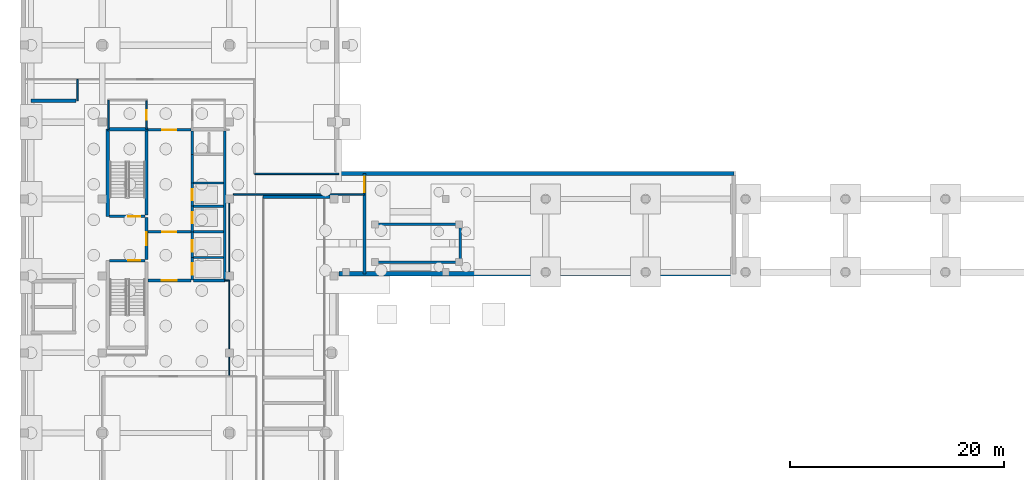
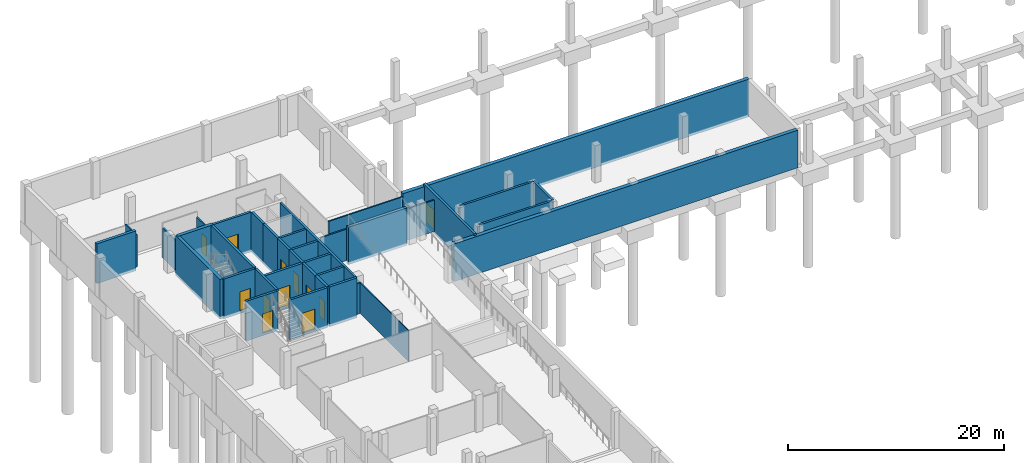
# One storey, part 12 of 21: 36 walls, 12 doors, 12 openings.
"""IFC4 building model written with IfcOpenShell, lengths in metres."""

from ifc_helpers import new_model, si_unit, direction, frame, frame_2d, origin, place, context, subcontext, project, spatial, rectangle, extrude, material, layer, layer_set, type_object, element, fill, save


model = new_model("IFC4")

# Units and contexts
model_context = context("Model", 3, precision=1e-05, world=origin(), true_north=direction((0.0, 1.0)))
body_context = subcontext(model_context, "Body", "Model", "MODEL_VIEW")
ifc_project = project(units=[si_unit("LENGTHUNIT", "METRE"), si_unit("AREAUNIT", "SQUARE_METRE"), si_unit("VOLUMEUNIT", "CUBIC_METRE"), si_unit("PLANEANGLEUNIT", "RADIAN"), si_unit("MASSUNIT", "GRAM", prefix="KILO")], contexts=[model_context])

# Site, building, storey
site_placement = place(None, origin())
site = spatial("IfcSite", under=ifc_project, at=site_placement, CompositionType="ELEMENT")
building_placement = place(site_placement, origin())
building = spatial("IfcBuilding", under=site, at=building_placement, Name="Quillay Park Conservatory", CompositionType="ELEMENT")
storey_placement = place(building_placement, frame((0.0, 0.0, -8.39990234375)))
storey = spatial("IfcBuildingStorey", under=building, at=storey_placement, Name="B2", CompositionType="ELEMENT", Elevation=-8.39990234375)

# Walls
ifc_material_1 = material(Name="Steel-Stud Acoustic Gypsum Board Partition", Category="steel")
ifc_layer_1 = layer(ifc_material_1, 0.10009765625)
ifc_layer_set_1 = layer_set([ifc_layer_1], Name="ACOUSTIC GYPSUM PARTITION 100 (Steel-Stud Acoustic Gypsum Board Partition)")
wall_type_1 = type_object("IfcWallType", Name="ACOUSTIC GYPSUM PARTITION 100", PredefinedType="PARTITIONING", material=ifc_layer_set_1)
wall_1_placement = place(storey_placement, frame((19.75, 92.030029296875, 0.0), z_axis=(0.0, 0.0, 1.0), x_axis=(0.0, -1.0, 0.0)))
element("IfcWall", 1, at=wall_1_placement, inside=storey, type_object=wall_type_1, Name="B2 Core East Ramp Shield Wall", PredefinedType="PARTITIONING", context=body_context, shape_type="SweptSolid", body=[
    extrude(rectangle(XDim=16.22998046875, YDim=0.10009765625, at=frame_2d((8.114990234375, 0.0))), origin(), (0.0, 0.0, 1.0), 3.48681640625),
])
ifc_material_2 = material(Name="Steel-Stud Acoustic Gypsum Board Partition", Category="steel")
ifc_layer_2 = layer(ifc_material_2, 0.10498046875)
ifc_layer_set_2 = layer_set([ifc_layer_2], Name="ACOUSTIC GYPSUM PARTITION 105 (Steel-Stud Acoustic Gypsum Board Partition)")
wall_type_2 = type_object("IfcWallType", Name="ACOUSTIC GYPSUM PARTITION 105", PredefinedType="PARTITIONING", material=ifc_layer_set_2)
wall_2_placement = place(storey_placement, frame((19.320068359375, 84.77490234375, 0.0), z_axis=(0.0, 0.0, 1.0), x_axis=(1.0, 0.0, 0.0)))
element("IfcWall", 2, at=wall_2_placement, inside=storey, type_object=wall_type_2, Name="B2 Core South-East Closure", PredefinedType="PARTITIONING", context=body_context, shape_type="SweptSolid", body=[
    extrude(rectangle(XDim=0.429931640625, YDim=0.10498046875, at=frame_2d((0.21484375, 0.0))), origin(), (0.0, 0.0, 1.0), 3.48681640625),
])

# Wall, opening, door
ifc_material_3 = material(Name="Steel-Stud Acoustic Gypsum Board Partition", Category="steel")
ifc_layer_3 = layer(ifc_material_3, 0.1298828125)
ifc_layer_set_3 = layer_set([ifc_layer_3], Name="ACOUSTIC GYPSUM PARTITION 130 (Steel-Stud Acoustic Gypsum Board Partition)")
wall_type_3 = type_object("IfcWallType", Name="ACOUSTIC GYPSUM PARTITION 130", PredefinedType="PARTITIONING", material=ifc_layer_set_3)
wall_3_placement = place(storey_placement, frame((12.0, 101.60009765625, 0.0), z_axis=(0.0, 0.0, 1.0), x_axis=(0.0, -1.0, 0.0)))
wall_3 = element("IfcWall", 3, at=wall_3_placement, inside=storey, type_object=wall_type_3, Name="B2 Accessible WC Door Wall", PredefinedType="PARTITIONING", context=body_context, shape_type="SweptSolid", body=[
    extrude(rectangle(XDim=2.68017578125, YDim=0.1298828125, at=frame_2d((1.340087890625, 0.0))), origin(), (0.0, 0.0, 1.0), 3.410888671875),
])
opening_1_placement = place(wall_3_placement, frame((0.8798828125, 0.0, 0.0)))
opening_1 = element("IfcOpeningElement", 4, at=opening_1_placement, cuts=wall_3, Name="Opening D-RM01", PredefinedType="OPENING", context=body_context, shape_type="SweptSolid", body=[
    extrude(rectangle(XDim=0.919921875, YDim=2.10009765625, at=frame_2d((0.4599609375, 1.050048828125))), frame((0.0, 0.06494140625, 0.0), z_axis=(0.0, -1.0, 0.0), x_axis=(1.0, 0.0, 0.0)), (0.0, 0.0, 1.0), 0.1298828125),
])
ifc_material_4 = material(Name="Thermally Broken Anodised Aluminium 6063-T6", Category="aluminium")
door_type_1 = type_object("IfcDoorType", Name="SINGLE SWING DOOR 920 X2100", OperationType="NOTDEFINED", PredefinedType="DOOR", material=ifc_material_4)
door_1_placement = place(opening_1_placement, origin())
door_1 = element("IfcDoor", 5, at=door_1_placement, inside=storey, type_object=door_type_1, Name="B2 Door to B2 Accessible WC", OperationType="SINGLE_SWING_LEFT", OverallHeight=2.10009765625, OverallWidth=0.919921875, PredefinedType="DOOR", context=body_context, shape_type="SweptSolid", body=[
    extrude(rectangle(XDim=0.919921875, YDim=2.10009765625, at=frame_2d((0.4599609375, 1.050048828125))), frame((0.0, 0.02490234375, 0.0), z_axis=(0.0, -1.0, 0.0), x_axis=(1.0, 0.0, 0.0)), (0.0, 0.0, 1.0), 0.050048828125),
])
fill(opening_1, door_1)

# Walls
ifc_material_5 = material(Name="Steel-Stud Acoustic Gypsum Board Partition", Category="steel")
ifc_layer_4 = layer(ifc_material_5, 0.139892578125)
ifc_layer_set_4 = layer_set([ifc_layer_4], Name="ACOUSTIC GYPSUM PARTITION 140 (Steel-Stud Acoustic Gypsum Board Partition)")
wall_type_4 = type_object("IfcWallType", Name="ACOUSTIC GYPSUM PARTITION 140", PredefinedType="PARTITIONING", material=ifc_layer_set_4)
wall_4_placement = place(storey_placement, frame((5.550048828125, 101.60009765625, 0.0), z_axis=(0.0, 0.0, 1.0), x_axis=(0.0, 1.0, 0.0)))
element("IfcWall", 6, at=wall_4_placement, inside=storey, type_object=wall_type_4, Name="B2 Spine West Wall North", PredefinedType="PARTITIONING", context=body_context, shape_type="SweptSolid", body=[
    extrude(rectangle(XDim=2.0, YDim=0.139892578125, at=frame_2d((1.0, 0.0))), origin(), (0.0, 0.0, 1.0), 3.636962890625),
])
wall_5_placement = place(storey_placement, frame((22.1201171875, 94.75, 0.0), z_axis=(0.0, 0.0, 1.0), x_axis=(1.0, 0.0, 0.0)))
element("IfcWall", 7, at=wall_5_placement, inside=storey, type_object=wall_type_4, Name="B2 Dock Passage North Wall", PredefinedType="PARTITIONING", context=body_context, shape_type="SweptSolid", body=[
    extrude(rectangle(XDim=7.8798828125, YDim=0.139892578125, at=frame_2d((3.93994140625, 0.0))), origin(), (0.0, 0.0, 1.0), 3.536865234375),
])
ifc_material_6 = material(Name="Steel-Stud Acoustic Gypsum Board Partition", Category="steel")
ifc_layer_5 = layer(ifc_material_6, 0.14990234375)
ifc_layer_set_5 = layer_set([ifc_layer_5], Name="ACOUSTIC GYPSUM PARTITION 150 (Steel-Stud Acoustic Gypsum Board Partition)")
wall_type_5 = type_object("IfcWallType", Name="ACOUSTIC GYPSUM PARTITION 150", PredefinedType="PARTITIONING", material=ifc_layer_set_5)
wall_6_placement = place(storey_placement, frame((8.419921875, 98.919921875, 0.0), z_axis=(0.0, 0.0, 1.0), x_axis=(0.0, 1.0, 0.0)))
element("IfcWall", 8, at=wall_6_placement, inside=storey, type_object=wall_type_5, Name="B2 Accessible WC West Wall", PredefinedType="PARTITIONING", context=body_context, shape_type="SweptSolid", body=[
    extrude(rectangle(XDim=2.739990234375, YDim=0.14990234375, at=frame_2d((1.3701171875, 0.0))), origin(), (0.0, 0.0, 1.0), 3.410888671875),
])
wall_7_placement = place(storey_placement, frame((20.1201171875, 92.840087890625, 0.0), z_axis=(0.0, 0.0, 1.0), x_axis=(1.0, 0.0, 0.0)))
element("IfcWall", 9, at=wall_7_placement, inside=storey, type_object=wall_type_5, Name="B2 Dock Passage South Wall", PredefinedType="PARTITIONING", context=body_context, shape_type="SweptSolid", body=[
    extrude(rectangle(XDim=12.27978515625, YDim=0.14990234375, at=frame_2d((6.139892578125, 0.0))), origin(), (0.0, 0.0, 1.0), 3.536865234375),
])
ifc_material_7 = material(Name="Concrete C35/45 (NCh170 Concrete C35/45)", Category="concrete")
ifc_layer_6 = layer(ifc_material_7, 0.22509765625)
ifc_layer_set_6 = layer_set([ifc_layer_6], Name="CORE SHEAR WALL 225 (Concrete C35/45 (NCh170 Concrete C35/45))")
wall_type_6 = type_object("IfcWallType", Name="CORE SHEAR WALL 225", PredefinedType="SHEAR", material=ifc_layer_set_6)
wall_8_placement = place(storey_placement, frame((19.320068359375, 84.800048828125, -0.300048828125), z_axis=(0.0, 0.0, 1.0), x_axis=(0.0, 1.0, 0.0)))
element("IfcWall", 10, at=wall_8_placement, inside=storey, type_object=wall_type_6, Name="B2 Core Shear Wall WL-LFBACK-B2", PredefinedType="SHEAR", context=body_context, shape_type="SweptSolid", body=[
    extrude(rectangle(XDim=13.949951171875, YDim=0.22509765625, at=frame_2d((6.97509765625, 0.0))), origin(), (0.0, 0.0, 1.0), 4.5),
])
for number, where, z_axis, x_axis, name in (
    (11, (16.39990234375, 86.925048828125, -0.300048828125), (0.0, 0.0, 1.0), (1.0, 0.0, 0.0), "B2 Core Shear Wall WL-LFDIV-B2-869"),
    (12, (16.39990234375, 89.324951171875, -0.300048828125), (0.0, 0.0, 1.0), (1.0, 0.0, 0.0), "B2 Core Shear Wall WL-LFDIV-B2-893"),
    (13, (16.39990234375, 91.72509765625, -0.300048828125), (0.0, 0.0, 1.0), (1.0, 0.0, 0.0), "B2 Core Shear Wall WL-LFDIV-B2-917"),
    (14, (16.39990234375, 93.89990234375, -0.300048828125), (0.0, 0.0, 1.0), (1.0, 0.0, 0.0), "B2 Core Shear Wall WL-LFDIV-B2-939"),
):
    element("IfcWall", number, at=place(storey_placement, frame(where, z_axis=z_axis, x_axis=x_axis)), inside=storey, type_object=wall_type_6, Name=name, PredefinedType="SHEAR", context=body_context, shape_type="SweptSolid", body=[
        extrude(rectangle(XDim=2.800048828125, YDim=0.22509765625, at=frame_2d((1.39990234375, 0.0))), origin(), (0.0, 0.0, 1.0), 4.5),
    ])
for number, where, z_axis, x_axis, name in (
    (15, (33.39990234375, 86.487548828125, -0.300048828125), (0.0, 0.0, 1.0), (1.0, 0.0, 0.0), "B2 Core Shear Wall WL-STC1S-B2"),
    (16, (33.39990234375, 90.032470703125, -0.300048828125), (0.0, 0.0, 1.0), (1.0, 0.0, 0.0), "B2 Core Shear Wall WL-STC1N-B2"),
):
    element("IfcWall", number, at=place(storey_placement, frame(where, z_axis=z_axis, x_axis=x_axis)), inside=storey, type_object=wall_type_6, Name=name, PredefinedType="SHEAR", context=body_context, shape_type="SweptSolid", body=[
        extrude(rectangle(XDim=7.85009765625, YDim=0.22509765625, at=frame_2d((3.925048828125, 0.0))), origin(), (0.0, 0.0, 1.0), 4.5),
    ])
wall_9_placement = place(storey_placement, frame((41.362548828125, 86.487548828125, -0.300048828125), z_axis=(0.0, 0.0, 1.0), x_axis=(0.0, 1.0, 0.0)))
element("IfcWall", 17, at=wall_9_placement, inside=storey, type_object=wall_type_6, Name="B2 Core Shear Wall WL-STC1E-B2", PredefinedType="SHEAR", context=body_context, shape_type="SweptSolid", body=[
    extrude(rectangle(XDim=3.544921875, YDim=0.22509765625, at=frame_2d((1.7724609375, 0.0))), origin(), (0.0, 0.0, 1.0), 4.5),
])
ifc_material_8 = material(Name="Concrete C40/50 (NCh170 Concrete C40/50)", Category="concrete")
ifc_layer_7 = layer(ifc_material_8, 0.25)
ifc_layer_set_7 = layer_set([ifc_layer_7], Name="CORE SHEAR WALL 250 (Concrete C40/50 (NCh170 Concrete C40/50))")
wall_type_7 = type_object("IfcWallType", Name="CORE SHEAR WALL 250", PredefinedType="SHEAR", material=ifc_layer_set_7)
wall_10_placement = place(storey_placement, frame((11.9951171875, 90.89990234375, -0.300048828125), z_axis=(0.0, 0.0, 1.0), x_axis=(0.0, 1.0, 0.0)))
element("IfcWall", 18, at=wall_10_placement, inside=storey, type_object=wall_type_7, Name="B2 Core Shear Wall WL-T1E-B2", PredefinedType="SHEAR", context=body_context, shape_type="SweptSolid", body=[
    extrude(rectangle(XDim=7.85009765625, YDim=0.25, at=frame_2d((3.925048828125, 0.0))), origin(), (0.0, 0.0, 1.0), 4.5),
])

# Wall, opening, door
wall_11_placement = place(storey_placement, frame((11.9951171875, 86.75, -0.300048828125), z_axis=(0.0, 0.0, 1.0), x_axis=(0.0, 1.0, 0.0)))
wall_11 = element("IfcWall", 19, at=wall_11_placement, inside=storey, type_object=wall_type_7, Name="B2 Core Shear Wall WL-FFW-B2", PredefinedType="SHEAR", context=body_context, shape_type="SweptSolid", body=[
    extrude(rectangle(XDim=3.89990234375, YDim=0.25, at=frame_2d((1.949951171875, 0.0))), origin(), (0.0, 0.0, 1.0), 4.5),
])
opening_2_placement = place(wall_11_placement, frame((1.300048828125, 0.0, 0.300048828125)))
opening_2 = element("IfcOpeningElement", 20, at=opening_2_placement, cuts=wall_11, Name="Opening D-LB01", PredefinedType="OPENING", context=body_context, shape_type="SweptSolid", body=[
    extrude(rectangle(XDim=1.25, YDim=2.199951171875, at=frame_2d((0.625, 1.10009765625))), frame((0.0, 0.125, 0.0), z_axis=(0.0, -1.0, 0.0), x_axis=(1.0, 0.0, 0.0)), (0.0, 0.0, 1.0), 0.25),
])
ifc_material_9 = material(Name="Steel ASTM A572 Grade 50", Category="steel")
door_type_2 = type_object("IfcDoorType", Name="FIRE RATED LOBBY DOOR 1250 X2200", OperationType="NOTDEFINED", PredefinedType="DOOR", material=ifc_material_9)
door_2_placement = place(opening_2_placement, origin())
door_2 = element("IfcDoor", 21, at=door_2_placement, inside=storey, type_object=door_type_2, Name="B2 Firefighting Lobby Corridor Door", OperationType="SINGLE_SWING_LEFT", OverallHeight=2.199951171875, OverallWidth=1.25, PredefinedType="DOOR", context=body_context, shape_type="SweptSolid", body=[
    extrude(rectangle(XDim=1.25, YDim=2.199951171875, at=frame_2d((0.625, 1.10009765625))), frame((0.0, 0.02490234375, 0.0), z_axis=(0.0, -1.0, 0.0), x_axis=(1.0, 0.0, 0.0)), (0.0, 0.0, 1.0), 0.050048828125),
])
fill(opening_2, door_2)

wall_12_placement = place(storey_placement, frame((12.1201171875, 98.875, -0.300048828125), z_axis=(0.0, 0.0, 1.0), x_axis=(1.0, 0.0, 0.0)))
wall_12 = element("IfcWall", 22, at=wall_12_placement, inside=storey, type_object=wall_type_7, Name="B2 Core Shear Wall WL-PAXN-B2", PredefinedType="SHEAR", context=body_context, shape_type="SweptSolid", body=[
    extrude(rectangle(XDim=4.02978515625, YDim=0.25, at=frame_2d((2.014892578125, 0.0))), origin(), (0.0, 0.0, 1.0), 4.5),
])
opening_3_placement = place(wall_12_placement, frame((1.35009765625, 0.0, 0.300048828125)))
opening_3 = element("IfcOpeningElement", 23, at=opening_3_placement, cuts=wall_12, Name="Opening D-LB02", PredefinedType="OPENING", context=body_context, shape_type="SweptSolid", body=[
    extrude(rectangle(XDim=1.300048828125, YDim=2.199951171875, at=frame_2d((0.64990234375, 1.10009765625))), frame((0.0, 0.125, 0.0), z_axis=(0.0, -1.0, 0.0), x_axis=(1.0, 0.0, 0.0)), (0.0, 0.0, 1.0), 0.25),
])
ifc_material_10 = material(Name="Steel ASTM A572 Grade 50", Category="steel")
door_type_3 = type_object("IfcDoorType", Name="FIRE RATED LOBBY DOOR 1300 X2200", OperationType="NOTDEFINED", PredefinedType="DOOR", material=ifc_material_10)
door_3_placement = place(opening_3_placement, origin())
door_3 = element("IfcDoor", 24, at=door_3_placement, inside=storey, type_object=door_type_3, Name="B2 North Lift Lobby Door", OperationType="SINGLE_SWING_RIGHT", OverallHeight=2.199951171875, OverallWidth=1.300048828125, PredefinedType="DOOR", context=body_context, shape_type="SweptSolid", body=[
    extrude(rectangle(XDim=1.300048828125, YDim=2.199951171875, at=frame_2d((0.64990234375, 1.10009765625))), frame((0.0, 0.02490234375, 0.0), z_axis=(0.0, -1.0, 0.0), x_axis=(1.0, 0.0, 0.0)), (0.0, 0.0, 1.0), 0.050048828125),
])
fill(opening_3, door_3)

wall_13_placement = place(storey_placement, frame((8.550048828125, 86.625, -0.300048828125), z_axis=(0.0, 0.0, 1.0), x_axis=(1.0, 0.0, 0.0)))
wall_13 = element("IfcWall", 25, at=wall_13_placement, inside=storey, type_object=wall_type_7, Name="B2 Core Shear Wall WL-ST2D-B2", PredefinedType="SHEAR", context=body_context, shape_type="SweptSolid", body=[
    extrude(rectangle(XDim=3.320068359375, YDim=0.25, at=frame_2d((1.66015625, 0.0))), origin(), (0.0, 0.0, 1.0), 4.5),
])
opening_4_placement = place(wall_13_placement, frame((1.75, 0.0, 0.300048828125)))
opening_4 = element("IfcOpeningElement", 26, at=opening_4_placement, cuts=wall_13, Name="Opening D-ST01", PredefinedType="OPENING", context=body_context, shape_type="SweptSolid", body=[
    extrude(rectangle(XDim=1.10009765625, YDim=2.14990234375, at=frame_2d((0.550048828125, 1.074951171875))), frame((0.0, 0.125, 0.0), z_axis=(0.0, -1.0, 0.0), x_axis=(1.0, 0.0, 0.0)), (0.0, 0.0, 1.0), 0.25),
])
ifc_material_11 = material(Name="Steel ASTM A572 Grade 50", Category="steel")
door_type_4 = type_object("IfcDoorType", Name="FIRE RATED STAIR DOOR 1100 X2150", OperationType="NOTDEFINED", PredefinedType="DOOR", material=ifc_material_11)
door_4_placement = place(opening_4_placement, origin())
door_4 = element("IfcDoor", 27, at=door_4_placement, inside=storey, type_object=door_type_4, Name="B2 Protected Stair ST-T2 Door", OperationType="SINGLE_SWING_LEFT", OverallHeight=2.14990234375, OverallWidth=1.10009765625, PredefinedType="DOOR", context=body_context, shape_type="SweptSolid", body=[
    extrude(rectangle(XDim=1.10009765625, YDim=2.14990234375, at=frame_2d((0.550048828125, 1.074951171875))), frame((0.0, 0.02490234375, 0.0), z_axis=(0.0, -1.0, 0.0), x_axis=(1.0, 0.0, 0.0)), (0.0, 0.0, 1.0), 0.050048828125),
])
fill(opening_4, door_4)

wall_14_placement = place(storey_placement, frame((11.8701171875, 90.77490234375, -0.300048828125), z_axis=(0.0, 0.0, 1.0), x_axis=(-1.0, 0.0, 0.0)))
wall_14 = element("IfcWall", 28, at=wall_14_placement, inside=storey, type_object=wall_type_7, Name="B2 Core Shear Wall WL-ST1D-B2", PredefinedType="SHEAR", context=body_context, shape_type="SweptSolid", body=[
    extrude(rectangle(XDim=3.320068359375, YDim=0.25, at=frame_2d((1.66015625, 0.0))), origin(), (0.0, 0.0, 1.0), 4.5),
])
opening_5_placement = place(wall_14_placement, frame((0.449951171875, 0.0, 0.300048828125)))
opening_5 = element("IfcOpeningElement", 29, at=opening_5_placement, cuts=wall_14, Name="Opening D-ST02", PredefinedType="OPENING", context=body_context, shape_type="SweptSolid", body=[
    extrude(rectangle(XDim=1.14990234375, YDim=2.14990234375, at=frame_2d((0.574951171875, 1.074951171875))), frame((0.0, 0.125, 0.0), z_axis=(0.0, -1.0, 0.0), x_axis=(1.0, 0.0, 0.0)), (0.0, 0.0, 1.0), 0.25),
])
ifc_material_12 = material(Name="Steel ASTM A572 Grade 50", Category="steel")
door_type_5 = type_object("IfcDoorType", Name="FIRE RATED STAIR DOOR 1150 X2150", OperationType="NOTDEFINED", PredefinedType="DOOR", material=ifc_material_12)
door_5_placement = place(opening_5_placement, origin())
door_5 = element("IfcDoor", 30, at=door_5_placement, inside=storey, type_object=door_type_5, Name="B2 Protected Stair ST-T1 Door", OperationType="SINGLE_SWING_RIGHT", OverallHeight=2.14990234375, OverallWidth=1.14990234375, PredefinedType="DOOR", context=body_context, shape_type="SweptSolid", body=[
    extrude(rectangle(XDim=1.14990234375, YDim=2.14990234375, at=frame_2d((0.574951171875, 1.074951171875))), frame((0.0, 0.02490234375, 0.0), z_axis=(0.0, -1.0, 0.0), x_axis=(1.0, 0.0, 0.0)), (0.0, 0.0, 1.0), 0.050048828125),
])
fill(opening_5, door_5)

wall_15_placement = place(storey_placement, frame((12.1201171875, 89.324951171875, -0.300048828125), z_axis=(0.0, 0.0, 1.0), x_axis=(1.0, 0.0, 0.0)))
wall_15 = element("IfcWall", 31, at=wall_15_placement, inside=storey, type_object=wall_type_7, Name="B2 Core Shear Wall WL-FFDIV-B2", PredefinedType="SHEAR", context=body_context, shape_type="SweptSolid", body=[
    extrude(rectangle(XDim=4.02978515625, YDim=0.25, at=frame_2d((2.014892578125, 0.0))), origin(), (0.0, 0.0, 1.0), 4.5),
])
opening_6_placement = place(wall_15_placement, frame((1.35009765625, 0.0, 0.300048828125)))
opening_6 = element("IfcOpeningElement", 32, at=opening_6_placement, cuts=wall_15, Name="Opening D-LB02", PredefinedType="OPENING", context=body_context, shape_type="SweptSolid", body=[
    extrude(rectangle(XDim=1.300048828125, YDim=2.199951171875, at=frame_2d((0.64990234375, 1.10009765625))), frame((0.0, 0.125, 0.0), z_axis=(0.0, -1.0, 0.0), x_axis=(1.0, 0.0, 0.0)), (0.0, 0.0, 1.0), 0.25),
])
door_6_placement = place(opening_6_placement, origin())
door_6 = element("IfcDoor", 33, at=door_6_placement, inside=storey, type_object=door_type_3, Name="B2 Firefighting to Passenger Lobby Door", OperationType="SINGLE_SWING_LEFT", OverallHeight=2.199951171875, OverallWidth=1.300048828125, PredefinedType="DOOR", context=body_context, shape_type="SweptSolid", body=[
    extrude(rectangle(XDim=1.300048828125, YDim=2.199951171875, at=frame_2d((0.64990234375, 1.10009765625))), frame((0.0, 0.02490234375, 0.0), z_axis=(0.0, -1.0, 0.0), x_axis=(1.0, 0.0, 0.0)), (0.0, 0.0, 1.0), 0.050048828125),
])
fill(opening_6, door_6)

wall_16_placement = place(storey_placement, frame((12.1201171875, 84.77490234375, -0.300048828125), z_axis=(0.0, 0.0, 1.0), x_axis=(1.0, 0.0, 0.0)))
wall_16 = element("IfcWall", 34, at=wall_16_placement, inside=storey, type_object=wall_type_7, Name="B2 Core Shear Wall WL-FFS-B2", PredefinedType="SHEAR", context=body_context, shape_type="SweptSolid", body=[
    extrude(rectangle(XDim=4.02978515625, YDim=0.25, at=frame_2d((2.014892578125, 0.0))), origin(), (0.0, 0.0, 1.0), 4.5),
])
opening_7_placement = place(wall_16_placement, frame((1.300048828125, 0.0, 0.300048828125)))
opening_7 = element("IfcOpeningElement", 35, at=opening_7_placement, cuts=wall_16, Name="Opening D-LB03", PredefinedType="OPENING", context=body_context, shape_type="SweptSolid", body=[
    extrude(rectangle(XDim=1.39990234375, YDim=2.25, at=frame_2d((0.699951171875, 1.125))), frame((0.0, 0.125, 0.0), z_axis=(0.0, -1.0, 0.0), x_axis=(1.0, 0.0, 0.0)), (0.0, 0.0, 1.0), 0.25),
])
ifc_material_13 = material(Name="Steel ASTM A572 Grade 50", Category="steel")
door_type_6 = type_object("IfcDoorType", Name="FIRE RATED LOBBY DOOR 1400 X2250", OperationType="NOTDEFINED", PredefinedType="DOOR", material=ifc_material_13)
door_7_placement = place(opening_7_placement, origin())
door_7 = element("IfcDoor", 36, at=door_7_placement, inside=storey, type_object=door_type_6, Name="B2 South Core Lobby Door", OperationType="SINGLE_SWING_RIGHT", OverallHeight=2.25, OverallWidth=1.39990234375, PredefinedType="DOOR", context=body_context, shape_type="SweptSolid", body=[
    extrude(rectangle(XDim=1.39990234375, YDim=2.25, at=frame_2d((0.699951171875, 1.125))), frame((0.0, 0.02490234375, 0.0), z_axis=(0.0, -1.0, 0.0), x_axis=(1.0, 0.0, 0.0)), (0.0, 0.0, 1.0), 0.050048828125),
])
fill(opening_7, door_7)

# Wall
wall_17_placement = place(storey_placement, frame((16.39990234375, 84.77490234375, -0.300048828125), z_axis=(0.0, 0.0, 1.0), x_axis=(1.0, 0.0, 0.0)))
element("IfcWall", 37, at=wall_17_placement, inside=storey, type_object=wall_type_7, Name="B2 Core Shear Wall WL-LFSO-B2", PredefinedType="SHEAR", context=body_context, shape_type="SweptSolid", body=[
    extrude(rectangle(XDim=2.9501953125, YDim=0.25, at=frame_2d((1.47509765625, 0.0))), origin(), (0.0, 0.0, 1.0), 4.5),
])

# Wall, opening, door
wall_18_placement = place(storey_placement, frame((16.27490234375, 84.800048828125, -0.300048828125), z_axis=(0.0, 0.0, 1.0), x_axis=(0.0, 1.0, 0.0)))
wall_18 = element("IfcWall", 38, at=wall_18_placement, inside=storey, type_object=wall_type_7, Name="B2 Core Shear Wall WL-LFFR-B2-LF-FF1", PredefinedType="SHEAR", context=body_context, shape_type="SweptSolid", body=[
    extrude(rectangle(XDim=2.125, YDim=0.25, at=frame_2d((1.0625, 0.0))), origin(), (0.0, 0.0, 1.0), 4.5),
])
opening_8_placement = place(wall_18_placement, frame((0.5, 0.0, 0.300048828125)))
opening_8 = element("IfcOpeningElement", 39, at=opening_8_placement, cuts=wall_18, Name="Opening LD01", PredefinedType="OPENING", context=body_context, shape_type="SweptSolid", body=[
    extrude(rectangle(XDim=1.10009765625, YDim=2.14990234375, at=frame_2d((0.550048828125, 1.074951171875))), frame((0.0, 0.125, 0.0), z_axis=(0.0, -1.0, 0.0), x_axis=(1.0, 0.0, 0.0)), (0.0, 0.0, 1.0), 0.25),
])
ifc_material_14 = material(Name="Steel ASTM A572 Grade 50", Category="steel")
door_type_7 = type_object("IfcDoorType", Name="LIFT LANDING SLIDING DOOR 1100 X2150", OperationType="NOTDEFINED", PredefinedType="DOOR", material=ifc_material_14)
door_8_placement = place(opening_8_placement, origin())
door_8 = element("IfcDoor", 40, at=door_8_placement, inside=storey, type_object=door_type_7, Name="B2 LF-FF1 Lift Landing Door LD01", OperationType="SLIDING_TO_LEFT", OverallHeight=2.14990234375, OverallWidth=1.10009765625, PredefinedType="DOOR", context=body_context, shape_type="SweptSolid", body=[
    extrude(rectangle(XDim=1.10009765625, YDim=2.14990234375, at=frame_2d((0.550048828125, 1.074951171875))), frame((0.0, 0.02490234375, 0.0), z_axis=(0.0, -1.0, 0.0), x_axis=(1.0, 0.0, 0.0)), (0.0, 0.0, 1.0), 0.050048828125),
])
fill(opening_8, door_8)

wall_19_placement = place(storey_placement, frame((16.27490234375, 86.925048828125, -0.300048828125), z_axis=(0.0, 0.0, 1.0), x_axis=(0.0, 1.0, 0.0)))
wall_19 = element("IfcWall", 41, at=wall_19_placement, inside=storey, type_object=wall_type_7, Name="B2 Core Shear Wall WL-LFFR-B2-LF-FF2", PredefinedType="SHEAR", context=body_context, shape_type="SweptSolid", body=[
    extrude(rectangle(XDim=2.39990234375, YDim=0.25, at=frame_2d((1.199951171875, 0.0))), origin(), (0.0, 0.0, 1.0), 4.5),
])
opening_9_placement = place(wall_19_placement, frame((0.52490234375, 0.0, 0.300048828125)))
opening_9 = element("IfcOpeningElement", 42, at=opening_9_placement, cuts=wall_19, Name="Opening LD01", PredefinedType="OPENING", context=body_context, shape_type="SweptSolid", body=[
    extrude(rectangle(XDim=1.10009765625, YDim=2.14990234375, at=frame_2d((0.550048828125, 1.074951171875))), frame((0.0, 0.125, 0.0), z_axis=(0.0, -1.0, 0.0), x_axis=(1.0, 0.0, 0.0)), (0.0, 0.0, 1.0), 0.25),
])
door_9_placement = place(opening_9_placement, origin())
door_9 = element("IfcDoor", 43, at=door_9_placement, inside=storey, type_object=door_type_7, Name="B2 LF-FF2 Lift Landing Door LD01", OperationType="SLIDING_TO_LEFT", OverallHeight=2.14990234375, OverallWidth=1.10009765625, PredefinedType="DOOR", context=body_context, shape_type="SweptSolid", body=[
    extrude(rectangle(XDim=1.10009765625, YDim=2.14990234375, at=frame_2d((0.550048828125, 1.074951171875))), frame((0.0, 0.02490234375, 0.0), z_axis=(0.0, -1.0, 0.0), x_axis=(1.0, 0.0, 0.0)), (0.0, 0.0, 1.0), 0.050048828125),
])
fill(opening_9, door_9)

wall_20_placement = place(storey_placement, frame((16.27490234375, 89.324951171875, -0.300048828125), z_axis=(0.0, 0.0, 1.0), x_axis=(0.0, 1.0, 0.0)))
wall_20 = element("IfcWall", 44, at=wall_20_placement, inside=storey, type_object=wall_type_7, Name="B2 Core Shear Wall WL-LFFR-B2-LF-P1", PredefinedType="SHEAR", context=body_context, shape_type="SweptSolid", body=[
    extrude(rectangle(XDim=2.400146484375, YDim=0.25, at=frame_2d((1.2001953125, 0.0))), origin(), (0.0, 0.0, 1.0), 4.5),
])
opening_10_placement = place(wall_20_placement, frame((0.800048828125, 0.0, 0.300048828125)))
opening_10 = element("IfcOpeningElement", 45, at=opening_10_placement, cuts=wall_20, Name="Opening LD02", PredefinedType="OPENING", context=body_context, shape_type="SweptSolid", body=[
    extrude(rectangle(XDim=1.050048828125, YDim=2.14990234375, at=frame_2d((0.52490234375, 1.074951171875))), frame((0.0, 0.125, 0.0), z_axis=(0.0, -1.0, 0.0), x_axis=(1.0, 0.0, 0.0)), (0.0, 0.0, 1.0), 0.25),
])
ifc_material_15 = material(Name="Steel ASTM A572 Grade 50", Category="steel")
door_type_8 = type_object("IfcDoorType", Name="LIFT LANDING SLIDING DOOR 1050 X2150", OperationType="NOTDEFINED", PredefinedType="DOOR", material=ifc_material_15)
door_10_placement = place(opening_10_placement, origin())
door_10 = element("IfcDoor", 46, at=door_10_placement, inside=storey, type_object=door_type_8, Name="B2 LF-P1 Lift Landing Door LD02", OperationType="SLIDING_TO_LEFT", OverallHeight=2.14990234375, OverallWidth=1.050048828125, PredefinedType="DOOR", context=body_context, shape_type="SweptSolid", body=[
    extrude(rectangle(XDim=1.050048828125, YDim=2.14990234375, at=frame_2d((0.52490234375, 1.074951171875))), frame((0.0, 0.02490234375, 0.0), z_axis=(0.0, -1.0, 0.0), x_axis=(1.0, 0.0, 0.0)), (0.0, 0.0, 1.0), 0.050048828125),
])
fill(opening_10, door_10)

wall_21_placement = place(storey_placement, frame((16.27490234375, 91.72509765625, -0.300048828125), z_axis=(0.0, 0.0, 1.0), x_axis=(0.0, 1.0, 0.0)))
wall_21 = element("IfcWall", 47, at=wall_21_placement, inside=storey, type_object=wall_type_7, Name="B2 Core Shear Wall WL-LFFR-B2-LF-P2", PredefinedType="SHEAR", context=body_context, shape_type="SweptSolid", body=[
    extrude(rectangle(XDim=2.1748046875, YDim=0.25, at=frame_2d((1.08740234375, 0.0))), origin(), (0.0, 0.0, 1.0), 4.5),
])
opening_11_placement = place(wall_21_placement, frame((0.550048828125, 0.0, 0.300048828125)))
opening_11 = element("IfcOpeningElement", 48, at=opening_11_placement, cuts=wall_21, Name="Opening LD02", PredefinedType="OPENING", context=body_context, shape_type="SweptSolid", body=[
    extrude(rectangle(XDim=1.050048828125, YDim=2.14990234375, at=frame_2d((0.52490234375, 1.074951171875))), frame((0.0, 0.125, 0.0), z_axis=(0.0, -1.0, 0.0), x_axis=(1.0, 0.0, 0.0)), (0.0, 0.0, 1.0), 0.25),
])
door_11_placement = place(opening_11_placement, origin())
door_11 = element("IfcDoor", 49, at=door_11_placement, inside=storey, type_object=door_type_8, Name="B2 LF-P2 Lift Landing Door LD02", OperationType="SLIDING_TO_LEFT", OverallHeight=2.14990234375, OverallWidth=1.050048828125, PredefinedType="DOOR", context=body_context, shape_type="SweptSolid", body=[
    extrude(rectangle(XDim=1.050048828125, YDim=2.14990234375, at=frame_2d((0.52490234375, 1.074951171875))), frame((0.0, 0.02490234375, 0.0), z_axis=(0.0, -1.0, 0.0), x_axis=(1.0, 0.0, 0.0)), (0.0, 0.0, 1.0), 0.050048828125),
])
fill(opening_11, door_11)

# Walls
wall_22_placement = place(storey_placement, frame((16.27490234375, 93.89990234375, -0.300048828125), z_axis=(0.0, 0.0, 1.0), x_axis=(0.0, 1.0, 0.0)))
element("IfcWall", 50, at=wall_22_placement, inside=storey, type_object=wall_type_7, Name="B2 Core Shear Wall WL-LFFR-B2-LF-G1", PredefinedType="SHEAR", context=body_context, shape_type="SweptSolid", body=[
    extrude(rectangle(XDim=2.675048828125, YDim=0.25, at=frame_2d((1.33740234375, 0.0))), origin(), (0.0, 0.0, 1.0), 4.5),
])
wall_23_placement = place(storey_placement, frame((16.27490234375, 96.574951171875, -0.300048828125), z_axis=(0.0, 0.0, 1.0), x_axis=(0.0, 1.0, 0.0)))
element("IfcWall", 51, at=wall_23_placement, inside=storey, type_object=wall_type_7, Name="B2 Core Shear Wall WL-MEPR-B2", PredefinedType="SHEAR", context=body_context, shape_type="SweptSolid", body=[
    extrude(rectangle(XDim=2.175048828125, YDim=0.25, at=frame_2d((1.08740234375, 0.0))), origin(), (0.0, 0.0, 1.0), 4.5),
])

# Wall, opening, door
wall_24_placement = place(storey_placement, frame((32.39990234375, 85.39990234375, -0.300048828125), z_axis=(0.0, 0.0, 1.0), x_axis=(0.0, 1.0, 0.0)))
wall_24 = element("IfcWall", 52, at=wall_24_placement, inside=storey, type_object=wall_type_7, Name="B2 Core Shear Wall WL-B2-DOCKSH", PredefinedType="SHEAR", context=body_context, shape_type="SweptSolid", body=[
    extrude(rectangle(XDim=9.400146484375, YDim=0.25, at=frame_2d((4.7001953125, 0.0))), origin(), (0.0, 0.0, 1.0), 4.5),
])
opening_12_placement = place(wall_24_placement, frame((7.6201171875, 0.0, 0.300048828125)))
opening_12 = element("IfcOpeningElement", 53, at=opening_12_placement, cuts=wall_24, Name="Opening D-PL01", PredefinedType="OPENING", context=body_context, shape_type="SweptSolid", body=[
    extrude(rectangle(XDim=1.449951171875, YDim=2.199951171875, at=frame_2d((0.72509765625, 1.10009765625))), frame((0.0, 0.125, 0.0), z_axis=(0.0, -1.0, 0.0), x_axis=(1.0, 0.0, 0.0)), (0.0, 0.0, 1.0), 0.25),
])
ifc_material_16 = material(Name="Steel ASTM A572 Grade 50", Category="steel")
door_type_9 = type_object("IfcDoorType", Name="FIRE RATED PLANT DOOR 1450 X2200", OperationType="NOTDEFINED", PredefinedType="DOOR", material=ifc_material_16)
door_12_placement = place(opening_12_placement, origin())
door_12 = element("IfcDoor", 54, at=door_12_placement, inside=storey, type_object=door_type_9, Name="B2 Cryopreservation Vault Door", OperationType="SINGLE_SWING_RIGHT", OverallHeight=2.199951171875, OverallWidth=1.449951171875, PredefinedType="DOOR", context=body_context, shape_type="SweptSolid", body=[
    extrude(rectangle(XDim=1.449951171875, YDim=2.199951171875, at=frame_2d((0.72509765625, 1.10009765625))), frame((0.0, 0.02490234375, 0.0), z_axis=(0.0, -1.0, 0.0), x_axis=(1.0, 0.0, 0.0)), (0.0, 0.0, 1.0), 0.050048828125),
])
fill(opening_12, door_12)

# Walls
ifc_material_17 = material(Name="Concrete C40/50 (NCh170 Concrete C40/50)", Category="concrete")
ifc_layer_8 = layer(ifc_material_17, 0.300048828125)
ifc_layer_set_8 = layer_set([ifc_layer_8], Name="CORE SHEAR WALL 300 (Concrete C40/50 (NCh170 Concrete C40/50))")
wall_type_8 = type_object("IfcWallType", Name="CORE SHEAR WALL 300", PredefinedType="SHEAR", material=ifc_layer_set_8)
wall_25_placement = place(storey_placement, frame((1.199951171875, 101.60009765625, -0.300048828125), z_axis=(0.0, 0.0, 1.0), x_axis=(1.0, 0.0, 0.0)))
element("IfcWall", 55, at=wall_25_placement, inside=storey, type_object=wall_type_8, Name="B2 Core Shear Wall WL-RMP1-PIERB2-5", PredefinedType="SHEAR", context=body_context, shape_type="SweptSolid", body=[
    extrude(rectangle(XDim=4.199951171875, YDim=0.300048828125, at=frame_2d((2.10009765625, 0.0))), origin(), (0.0, 0.0, 1.0), 4.5),
])
wall_26_placement = place(storey_placement, frame((22.89990234375, 92.60009765625, -0.300048828125), z_axis=(0.0, 0.0, 1.0), x_axis=(1.0, 0.0, 0.0)))
element("IfcWall", 56, at=wall_26_placement, inside=storey, type_object=wall_type_8, Name="B2 Core Shear Wall WL-RMP2-PIERB2-1", PredefinedType="SHEAR", context=body_context, shape_type="SweptSolid", body=[
    extrude(rectangle(XDim=6.275146484375, YDim=0.300048828125, at=frame_2d((3.1376953125, 0.0))), origin(), (0.0, 0.0, 1.0), 4.23486328125),
])
ifc_material_18 = material(Name="Concrete C40/50 (NCh170 Concrete C40/50)", Category="concrete")
ifc_layer_9 = layer(ifc_material_18, 0.35009765625)
ifc_layer_set_9 = layer_set([ifc_layer_9], Name="CORE SHEAR WALL 350 (Concrete C40/50 (NCh170 Concrete C40/50))")
wall_type_9 = type_object("IfcWallType", Name="CORE SHEAR WALL 350", PredefinedType="SHEAR", material=ifc_layer_set_9)
wall_27_placement = place(storey_placement, frame((8.375, 90.77490234375, -0.300048828125), z_axis=(0.0, 0.0, 1.0), x_axis=(0.0, 1.0, 0.0)))
element("IfcWall", 57, at=wall_27_placement, inside=storey, type_object=wall_type_9, Name="B2 Core Shear Wall WL-TCW-N-B2", PredefinedType="SHEAR", context=body_context, shape_type="SweptSolid", body=[
    extrude(rectangle(XDim=8.175048828125, YDim=0.35009765625, at=frame_2d((4.08740234375, 0.0))), origin(), (0.0, 0.0, 1.0), 4.5),
])
wall_28_placement = place(storey_placement, frame((8.35009765625, 98.925048828125, -0.300048828125), z_axis=(0.0, 0.0, 1.0), x_axis=(1.0, 0.0, 0.0)))
element("IfcWall", 58, at=wall_28_placement, inside=storey, type_object=wall_type_9, Name="B2 Core Shear Wall WL-TCN-W-B2", PredefinedType="SHEAR", context=body_context, shape_type="SweptSolid", body=[
    extrude(rectangle(XDim=3.77001953125, YDim=0.35009765625, at=frame_2d((1.885009765625, 0.0))), origin(), (0.0, 0.0, 1.0), 4.5),
])
ifc_material_19 = material(Name="Concrete C35/45 (NCh170 Concrete C35/45)", Category="concrete")
ifc_layer_10 = layer(ifc_material_19, 0.39990234375)
ifc_layer_set_10 = layer_set([ifc_layer_10], Name="RETAINING WALL 400 (Concrete C35/45 (NCh170 Concrete C35/45))")
wall_type_10 = type_object("IfcWallType", Name="RETAINING WALL 400", PredefinedType="USERDEFINED", material=ifc_layer_set_10)
wall_29_placement = place(storey_placement, frame((30.0, 94.800048828125, -0.300048828125), z_axis=(0.0, 0.0, 1.0), x_axis=(1.0, 0.0, 0.0)))
element("IfcWall", 59, at=wall_29_placement, inside=storey, type_object=wall_type_10, Name="B2 Perimeter Retaining Wall 04", ObjectType="RETAINING WALL", PredefinedType="USERDEFINED", context=body_context, shape_type="SweptSolid", body=[
    extrude(rectangle(XDim=37.0, YDim=0.39990234375, at=frame_2d((18.5, 0.0))), origin(), (0.0, 0.0, 1.0), 4.260009765625),
])
wall_30_placement = place(storey_placement, frame((66.800048828125, 85.39990234375, -0.300048828125), z_axis=(0.0, 0.0, 1.0), x_axis=(-1.0, 0.0, 0.0)))
element("IfcWall", 60, at=wall_30_placement, inside=storey, type_object=wall_type_10, Name="B2 Perimeter Retaining Wall 06", ObjectType="RETAINING WALL", PredefinedType="USERDEFINED", context=body_context, shape_type="SweptSolid", body=[
    extrude(rectangle(XDim=36.800048828125, YDim=0.39990234375, at=frame_2d((18.39990234375, 0.0))), origin(), (0.0, 0.0, 1.0), 4.260009765625),
])

save(model, "model.ifc")
